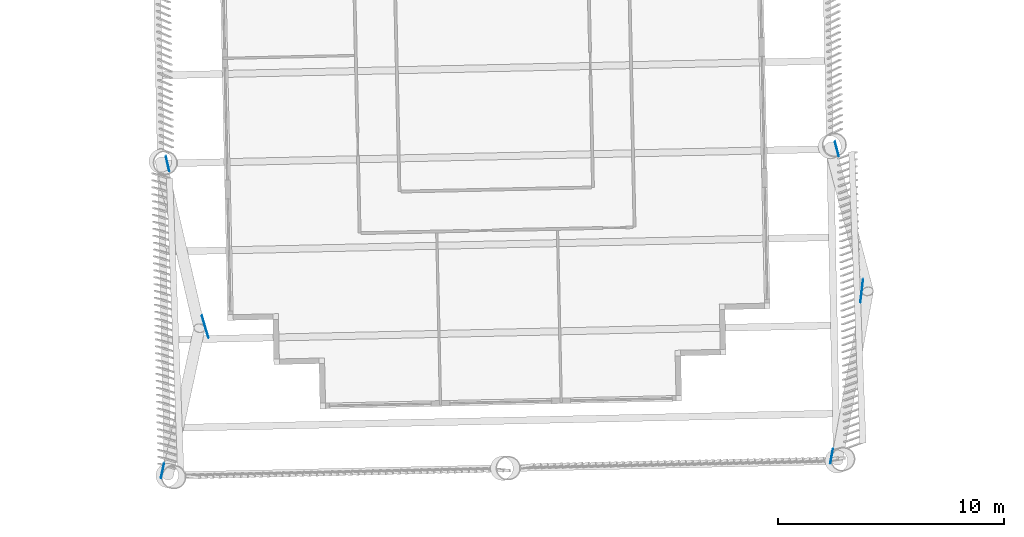
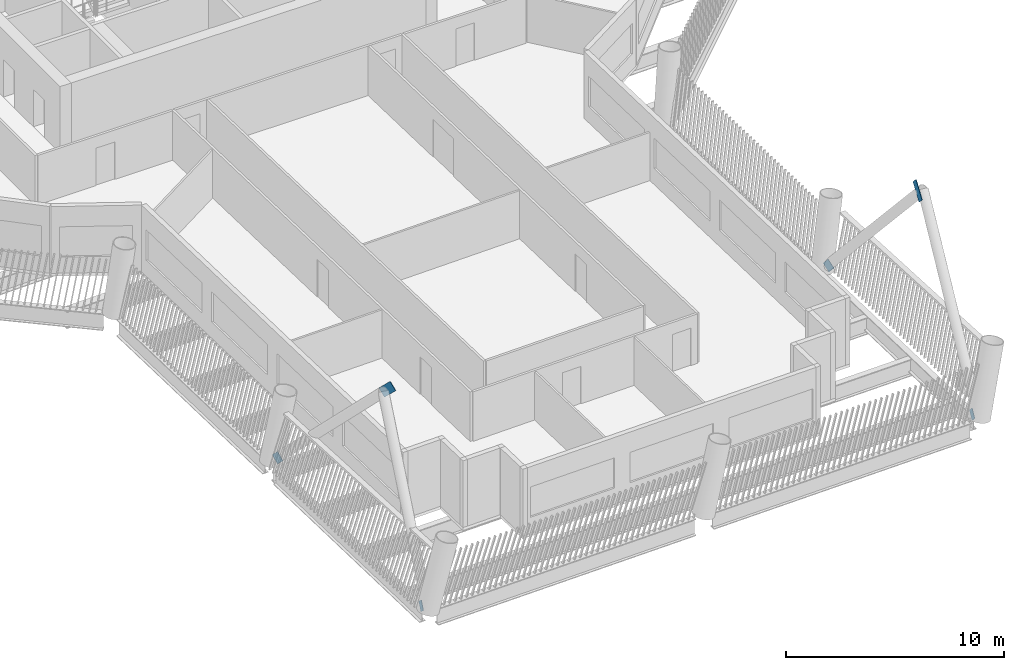
# One storey, part 8 of 23: 6 discrete accessories.
"""IFC4 building model written with IfcOpenShell, lengths in metres."""

from ifc_helpers import new_model, si_unit, direction, frame, origin, origin_2d, place, context, subcontext, project, spatial, rectangle, extrude, material, material_profile, profile_set, type_object, element, save


model = new_model("IFC4")

# Units and contexts
model_context = context("Model", 3, precision=1e-05, world=origin(), true_north=direction((0.0, 1.0)))
body_context = subcontext(model_context, "Body", "Model", "MODEL_VIEW")
ifc_project = project(units=[si_unit("LENGTHUNIT", "METRE"), si_unit("AREAUNIT", "SQUARE_METRE"), si_unit("VOLUMEUNIT", "CUBIC_METRE"), si_unit("PLANEANGLEUNIT", "RADIAN"), si_unit("MASSUNIT", "GRAM", prefix="KILO")], contexts=[model_context])

# Site, building, storey
site_placement = place(None, origin())
site = spatial("IfcSite", under=ifc_project, at=site_placement, CompositionType="ELEMENT")
building_placement = place(site_placement, origin())
building = spatial("IfcBuilding", under=site, at=building_placement, Name="Tarsis Ring Headquarters", CompositionType="ELEMENT")
storey_placement = place(building_placement, frame((0.0, 0.0, 231.60009765625)))
storey = spatial("IfcBuildingStorey", under=building, at=storey_placement, Name="L54", CompositionType="ELEMENT", Elevation=231.60009765625)

# Discrete accessories
ifc_material = material(Name="Structural steel S355", Category="steel")
ifc_material_profile = material_profile(ifc_material, rectangle(XDim=0.02490234375, YDim=0.5, at=origin_2d()), Name="PL 25x500")
ifc_profile_set = profile_set([ifc_material_profile], Name="Structural steel S355")
discrete_accessory_type = type_object("IfcDiscreteAccessoryType", Name="Gusset plate Exo brace 25", PredefinedType="BRACKET", material=ifc_profile_set)
discrete_accessory_1_placement = place(storey_placement, frame((-13.695068359375, -39.14892578125, 0.0), z_axis=(0.15676366118, -0.679309198448, 0.716912942719), x_axis=(0.974391195695, 0.224859506699, 0.0)))
element("IfcDiscreteAccessory", 1, at=discrete_accessory_1_placement, inside=storey, type_object=discrete_accessory_type, Name="Gusset plate GP5", PredefinedType="BRACKET", context=body_context, shape_type="SweptSolid", body=[
    extrude(rectangle(XDim=0.02490234375, YDim=0.5, at=origin_2d()), origin(), (0.0, 0.0, 1.0), 0.5),
])
discrete_accessory_2_placement = place(storey_placement, frame((-12.095703125, -46.179931640625, 7.4462890625), z_axis=(0.201871222345, -0.677623353361, 0.707159529787), x_axis=(0.958375634538, 0.28551032052, 0.0)))
element("IfcDiscreteAccessory", 2, at=discrete_accessory_2_placement, inside=storey, type_object=discrete_accessory_type, Name="Gusset plate GP5", PredefinedType="BRACKET", context=body_context, shape_type="SweptSolid", body=[
    extrude(rectangle(XDim=0.02490234375, YDim=0.5, at=origin_2d()), origin(), (0.0, 0.0, 1.0), 1.000244140625),
])
for number, where, z_axis, x_axis, name in (
    (3, (-13.91455078125, -53.0517578125, 0.0), (0.137224928601, 0.634848424133, 0.760353074135), (-0.97742675603, 0.211274552649, 0.0), "Gusset plate GP5"),
    (4, (15.677001953125, -52.419677734375, 0.0), (0.125002846219, 0.688003946573, 0.714860026815), (-0.983892247741, 0.17876253756, 0.0), "Gusset plate GP5"),
):
    element("IfcDiscreteAccessory", number, at=place(storey_placement, frame(where, z_axis=z_axis, x_axis=x_axis)), inside=storey, type_object=discrete_accessory_type, Name=name, PredefinedType="BRACKET", context=body_context, shape_type="SweptSolid", body=[
        extrude(rectangle(XDim=0.02490234375, YDim=0.5, at=origin_2d()), origin(), (0.0, 0.0, 1.0), 0.5),
    ])
discrete_accessory_3_placement = place(storey_placement, frame((16.999267578125, -45.28271484375, 7.4453125), z_axis=(0.081774449784, 0.70033103412, 0.709118736186), x_axis=(-0.993251844165, 0.115977472219, 0.0)))
element("IfcDiscreteAccessory", 5, at=discrete_accessory_3_placement, inside=storey, type_object=discrete_accessory_type, Name="Gusset plate GP5", PredefinedType="BRACKET", context=body_context, shape_type="SweptSolid", body=[
    extrude(rectangle(XDim=0.02490234375, YDim=0.5, at=origin_2d()), origin(), (0.0, 0.0, 1.0), 1.000244140625),
])
discrete_accessory_4_placement = place(storey_placement, frame((15.896240234375, -38.501220703125, 0.0), z_axis=(0.163123725189, -0.625633209484, 0.762872032173), x_axis=(0.967649351768, 0.252298894216, 0.0)))
element("IfcDiscreteAccessory", 6, at=discrete_accessory_4_placement, inside=storey, type_object=discrete_accessory_type, Name="Gusset plate GP5", PredefinedType="BRACKET", context=body_context, shape_type="SweptSolid", body=[
    extrude(rectangle(XDim=0.02490234375, YDim=0.5, at=origin_2d()), origin(), (0.0, 0.0, 1.0), 0.5),
])

save(model, "model.ifc")
